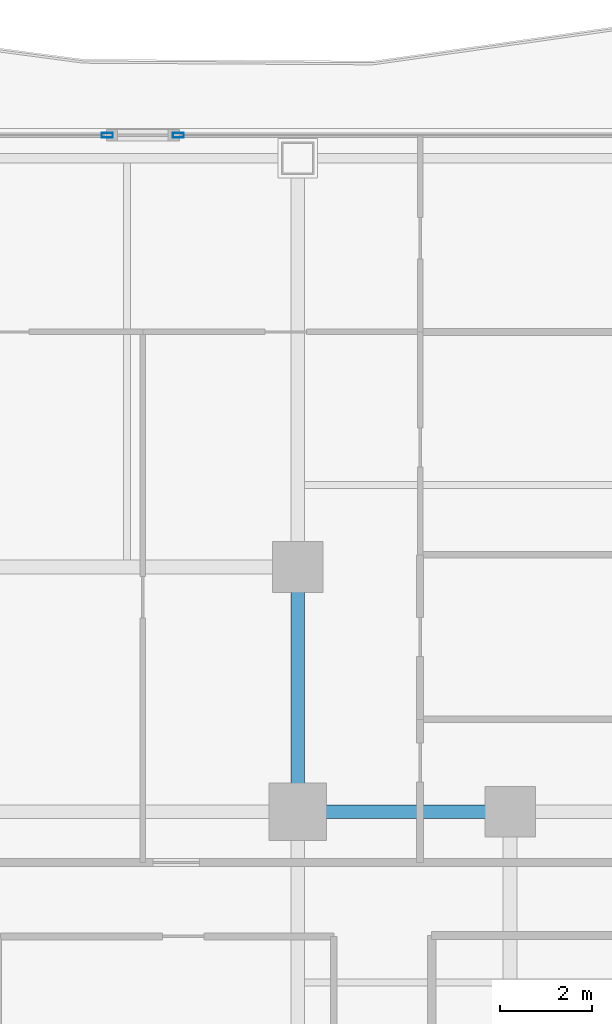
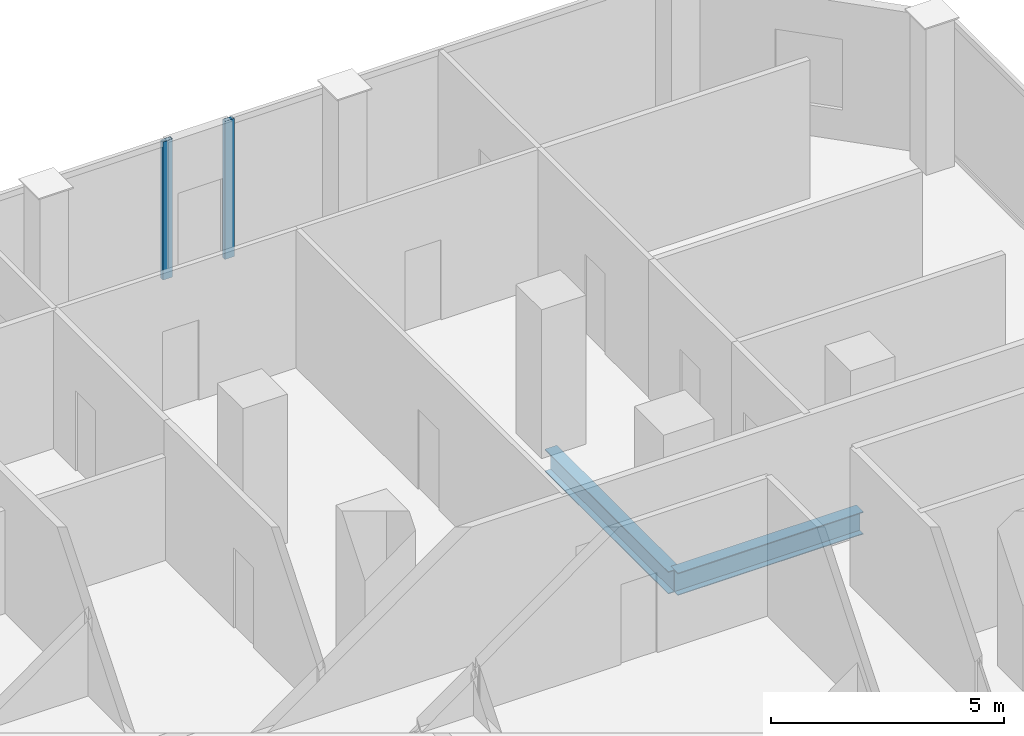
# One storey, part 16 of 27: 2 beams, 2 members, 2 elements without a shape of their own.
"""IFC4 building model written with IfcOpenShell, lengths in metres."""

from ifc_helpers import new_model, si_unit, direction, frame, origin, origin_2d, place, context, subcontext, project, spatial, hollow_rectangle, i_section, extrude, material, layer, layer_set, material_profile, profile_set, type_object, element, aggregate, save


model = new_model("IFC4")

# Units and contexts
model_context = context("Model", 3, precision=1e-05, world=origin(), true_north=direction((0.0, 1.0)))
body_context = subcontext(model_context, "Body", "Model", "MODEL_VIEW")
ifc_project = project(units=[si_unit("LENGTHUNIT", "METRE"), si_unit("AREAUNIT", "SQUARE_METRE"), si_unit("VOLUMEUNIT", "CUBIC_METRE"), si_unit("PLANEANGLEUNIT", "RADIAN"), si_unit("MASSUNIT", "GRAM", prefix="KILO")], contexts=[model_context])

# Site, building, storey
site_placement = place(None, origin())
site = spatial("IfcSite", under=ifc_project, at=site_placement, CompositionType="ELEMENT")
building_placement = place(site_placement, origin())
building = spatial("IfcBuilding", under=site, at=building_placement, Name="Khorvyn Point Tower", CompositionType="ELEMENT")
storey_placement = place(building_placement, frame((0.0, 0.0, 132.89990234375)))
storey = spatial("IfcBuildingStorey", under=building, at=storey_placement, Name="L33", CompositionType="ELEMENT", Elevation=132.89990234375)

# Curtain wall, member
ifc_material_1 = material(Name="Anodised aluminium 6063-T6 and laminated Low-E glass", Category="aluminium")
ifc_layer = layer(ifc_material_1, 0.18994140625)
ifc_layer_set = layer_set([ifc_layer], Name="Stick-Built Acoustic Curtain Wall CW-SYS-03")
curtain_wall_type = type_object("IfcCurtainWallType", Name="Stick-Built Acoustic Curtain Wall CW-SYS-03", PredefinedType="NOTDEFINED", material=ifc_layer_set)
curtain_wall_1_placement = place(storey_placement, origin())
curtain_wall_1 = element("IfcCurtainWall", 1, at=curtain_wall_1_placement, inside=storey, type_object=curtain_wall_type, Name="Curtain Wall", PredefinedType="NOTDEFINED")
ifc_material_2 = material(Name="Anodised aluminium 6063-T6", Category="aluminium")
ifc_material_profile_1 = material_profile(ifc_material_2, hollow_rectangle(XDim=0.10009765625, YDim=0.239990234375, WallThickness=0.0048828125, at=origin_2d()))
ifc_profile_set_1 = profile_set([ifc_material_profile_1], Name="Anodised aluminium 6063-T6 ALU-MUL-100x240")
member_type = type_object("IfcMemberType", Name="Anodised Aluminium 6063-T6 Mullion ALU-MUL-100x240", PredefinedType="MULLION", material=ifc_profile_set_1)
member_1_placement = place(storey_placement, frame((10.674072265625, 29.449951171875, 0.0), z_axis=(0.0, 0.0, 1.0), x_axis=(0.0, 1.0, 0.0)))
member_1 = element("IfcMember", 2, at=member_1_placement, type_object=member_type, Name="Transom", PredefinedType="MULLION", context=body_context, shape_type="SweptSolid", body=[
    extrude(hollow_rectangle(XDim=0.10009765625, YDim=0.239990234375, WallThickness=0.0048828125, at=origin_2d()), origin(), (0.0, 0.0, 1.0), 3.6201171875),
])
aggregate(curtain_wall_1, [member_1])

curtain_wall_2_placement = place(storey_placement, origin())
curtain_wall_2 = element("IfcCurtainWall", 3, at=curtain_wall_2_placement, inside=storey, type_object=curtain_wall_type, Name="Curtain Wall", PredefinedType="NOTDEFINED")
member_2_placement = place(storey_placement, frame((12.214111328125, 29.449951171875, 0.0), z_axis=(0.0, 0.0, 1.0), x_axis=(0.0, 1.0, 0.0)))
member_2 = element("IfcMember", 4, at=member_2_placement, type_object=member_type, Name="Transom", PredefinedType="MULLION", context=body_context, shape_type="SweptSolid", body=[
    extrude(hollow_rectangle(XDim=0.10009765625, YDim=0.239990234375, WallThickness=0.0048828125, at=origin_2d()), origin(), (0.0, 0.0, 1.0), 3.6201171875),
])
aggregate(curtain_wall_2, [member_2])

# Beams
ifc_material_3 = material(Name="Steel S355", Category="steel")
ifc_material_profile_2 = material_profile(ifc_material_3, i_section(OverallWidth=0.300048828125, OverallDepth=0.587890625, WebThickness=0.011962890625, FlangeThickness=0.02001953125, at=origin_2d()))
ifc_profile_set_2 = profile_set([ifc_material_profile_2], Name="Steel S355 H588x300x12x20")
beam_type = type_object("IfcBeamType", Name="Steel S355 Beam H588x300x12x20", PredefinedType="BEAM", material=ifc_profile_set_2)
beam_1_placement = place(storey_placement, frame((14.800048828125, 14.800048828125, -0.513916015625), z_axis=(1.0, 0.0, 0.0), x_axis=(0.0, 1.0, 0.0)))
element("IfcBeam", 5, at=beam_1_placement, inside=storey, type_object=beam_type, Name="Beam", PredefinedType="BEAM", context=body_context, shape_type="SweptSolid", body=[
    extrude(i_section(OverallWidth=0.300048828125, OverallDepth=0.587890625, WebThickness=0.011962890625, FlangeThickness=0.02001953125, at=origin_2d()), origin(), (0.0, 0.0, 1.0), 4.599853515625),
])
beam_2_placement = place(storey_placement, frame((14.800048828125, 14.800048828125, -0.513916015625), z_axis=(0.0, 1.0, 0.0), x_axis=(-1.0, 0.0, 0.0)))
element("IfcBeam", 6, at=beam_2_placement, inside=storey, type_object=beam_type, Name="Beam", PredefinedType="BEAM", context=body_context, shape_type="SweptSolid", body=[
    extrude(i_section(OverallWidth=0.300048828125, OverallDepth=0.587890625, WebThickness=0.011962890625, FlangeThickness=0.02001953125, at=origin_2d()), origin(), (0.0, 0.0, 1.0), 5.300048828125),
])

save(model, "model.ifc")
